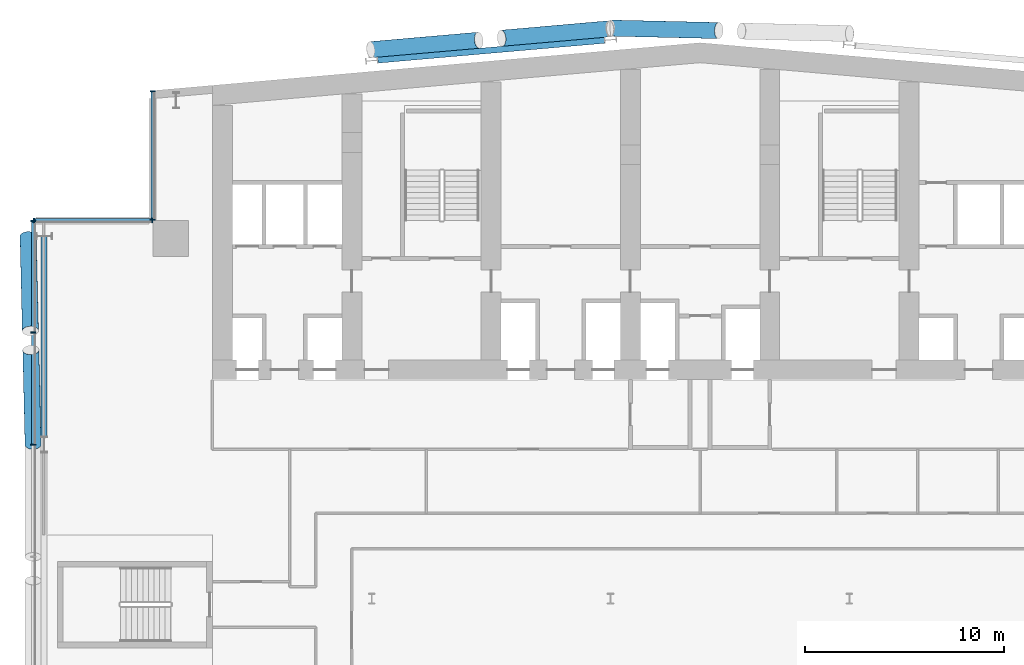
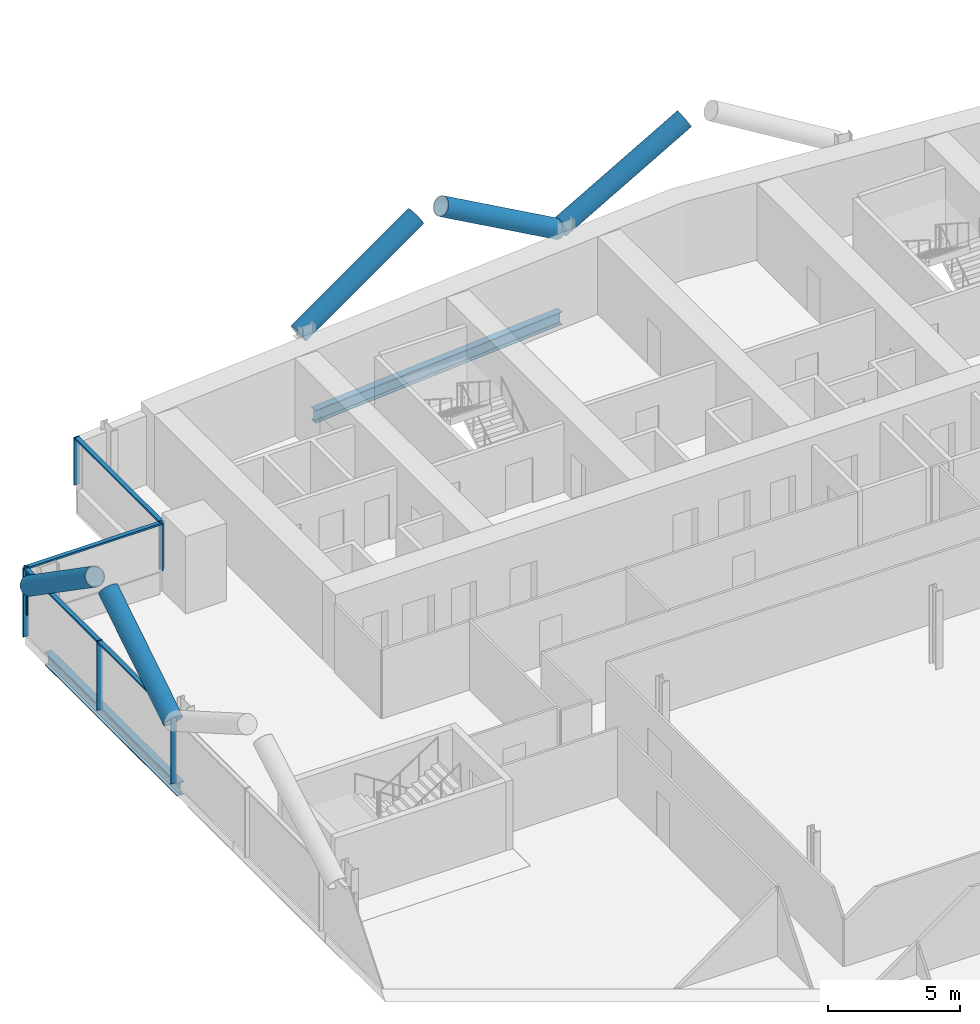
# One storey, part 8 of 30: 16 members, 2 beams, 3 elements without a shape of their own.
"""IFC4 building model written with IfcOpenShell, lengths in metres."""

from ifc_helpers import new_model, si_unit, direction, frame, origin, origin_2d, place, context, subcontext, project, spatial, rectangle, hollow_circle, i_section, extrude, material, material_profile, profile_set, type_object, element, aggregate, save


model = new_model("IFC4")

# Units and contexts
model_context = context("Model", 3, precision=1e-05, world=origin(), true_north=direction((0.0, 1.0)))
body_context = subcontext(model_context, "Body", "Model", "MODEL_VIEW")
ifc_project = project(units=[si_unit("LENGTHUNIT", "METRE"), si_unit("AREAUNIT", "SQUARE_METRE"), si_unit("VOLUMEUNIT", "CUBIC_METRE"), si_unit("PLANEANGLEUNIT", "RADIAN"), si_unit("MASSUNIT", "GRAM", prefix="KILO")], contexts=[model_context])

# Site, building, storey
site_placement = place(None, origin())
site = spatial("IfcSite", under=ifc_project, at=site_placement, CompositionType="ELEMENT")
building_placement = place(site_placement, origin())
building = spatial("IfcBuilding", under=site, at=building_placement, Name="Wharfspan Tower", CompositionType="ELEMENT")
storey_placement = place(building_placement, frame((0.0, 0.0, 100.300049)))
storey = spatial("IfcBuildingStorey", under=building, at=storey_placement, Name="L22", CompositionType="ELEMENT", Elevation=100.300049)

# Beams
ifc_material_1 = material(Name="Steel S355J2", Category="steel")
ifc_material_profile_1 = material_profile(ifc_material_1, i_section(OverallWidth=0.300049, OverallDepth=0.600098, WebThickness=0.015381, FlangeThickness=0.030029, FilletRadius=0.0271, at=origin_2d()))
ifc_profile_set_1 = profile_set([ifc_material_profile_1], Name="Steel S355J2")
beam_type = type_object("IfcBeamType", Name="Edge beam HEB 600", PredefinedType="SPANDREL", material=ifc_profile_set_1)
beam_1_placement = place(storey_placement, frame((35.695068, 51.050537, -0.699951), z_axis=(-0.996194, -0.087162, 0.0), x_axis=(0.087162, -0.996194, 0.0)))
element("IfcBeam", 1, at=beam_1_placement, inside=storey, type_object=beam_type, Name="Edge beam N1 L22 R.2 to R.1", PredefinedType="SPANDREL", context=body_context, shape_type="SweptSolid", body=[
    extrude(i_section(OverallWidth=0.300049, OverallDepth=0.600098, WebThickness=0.015381, FlangeThickness=0.030029, FilletRadius=0.0271, at=origin_2d()), origin(), (0.0, 0.0, 1.0), 11.433594),
])
beam_2_placement = place(storey_placement, frame((7.544434, 41.201416, -0.699951), z_axis=(-0.000412, -1.0, 0.0), x_axis=(1.0, -0.000412, 0.0)))
element("IfcBeam", 2, at=beam_2_placement, inside=storey, type_object=beam_type, Name="Edge beam W L22 PNRW-H.1 to PW.1", PredefinedType="SPANDREL", context=body_context, shape_type="SweptSolid", body=[
    extrude(i_section(OverallWidth=0.300049, OverallDepth=0.600098, WebThickness=0.015381, FlangeThickness=0.030029, FilletRadius=0.0271, at=origin_2d()), origin(), (0.0, 0.0, 1.0), 10.065186),
])

# Curtain wall, members
ifc_material_2 = material(Name="Aluminium 6063-T6", Category="aluminium")
curtain_wall_type = type_object("IfcCurtainWallType", Name="CURTAIN WALL PROW AND END", PredefinedType="NOTDEFINED", material=ifc_material_2)
curtain_wall_1_placement = place(storey_placement, origin())
curtain_wall_1 = element("IfcCurtainWall", 3, at=curtain_wall_1_placement, inside=storey, type_object=curtain_wall_type, Name="Curtain wall NRW-V", PredefinedType="NOTDEFINED")
ifc_material_profile_2 = material_profile(ifc_material_2, rectangle(XDim=0.23999, YDim=0.060059, at=origin_2d()))
ifc_profile_set_2 = profile_set([ifc_material_profile_2], Name="Aluminium 6063-T6")
member_type_1 = type_object("IfcMemberType", Name="MULLION PROW AND END 60x240", PredefinedType="MULLION", material=ifc_profile_set_2)
member_1_placement = place(storey_placement, frame((13.0, 48.494873, 1.0), z_axis=(0.0, 0.0, 1.0), x_axis=(1.0, 0.0, 0.0)))
member_1 = element("IfcMember", 4, at=member_1_placement, type_object=member_type_1, Name="Curtain wall NRW-V mullion 1", PredefinedType="MULLION", context=body_context, shape_type="SweptSolid", body=[
    extrude(rectangle(XDim=0.23999, YDim=0.060059, at=origin_2d()), origin(), (0.0, 0.0, 1.0), 2.199951),
])
member_2_placement = place(storey_placement, frame((13.0, 42.030029, 1.0), z_axis=(0.0, 0.0, 1.0), x_axis=(1.0, 0.0, 0.0)))
member_2 = element("IfcMember", 5, at=member_2_placement, type_object=member_type_1, Name="Curtain wall NRW-V mullion 2", PredefinedType="MULLION", context=body_context, shape_type="SweptSolid", body=[
    extrude(rectangle(XDim=0.23999, YDim=0.060059, at=origin_2d()), origin(), (0.0, 0.0, 1.0), 2.199951),
])

curtain_wall_2_placement = place(storey_placement, origin())
curtain_wall_2 = element("IfcCurtainWall", 6, at=curtain_wall_2_placement, inside=storey, type_object=curtain_wall_type, Name="Curtain wall NRW-H", PredefinedType="NOTDEFINED")
member_3_placement = place(storey_placement, frame((12.969971, 42.0, 1.0), z_axis=(0.0, 0.0, 1.0), x_axis=(0.0, -1.0, 0.0)))
member_3 = element("IfcMember", 7, at=member_3_placement, type_object=member_type_1, Name="Curtain wall NRW-H mullion 1", PredefinedType="MULLION", context=body_context, shape_type="SweptSolid", body=[
    extrude(rectangle(XDim=0.23999, YDim=0.060059, at=origin_2d()), origin(), (0.0, 0.0, 1.0), 2.199951),
])
member_4_placement = place(storey_placement, frame((7.030029, 42.0, 1.0), z_axis=(0.0, 0.0, 1.0), x_axis=(0.0, -1.0, 0.0)))
member_4 = element("IfcMember", 8, at=member_4_placement, type_object=member_type_1, Name="Curtain wall NRW-H mullion 2", PredefinedType="MULLION", context=body_context, shape_type="SweptSolid", body=[
    extrude(rectangle(XDim=0.23999, YDim=0.060059, at=origin_2d()), origin(), (0.0, 0.0, 1.0), 2.199951),
])

curtain_wall_3_placement = place(storey_placement, origin())
curtain_wall_3 = element("IfcCurtainWall", 9, at=curtain_wall_3_placement, inside=storey, type_object=curtain_wall_type, Name="Curtain wall W", PredefinedType="NOTDEFINED")
member_5_placement = place(storey_placement, frame((7.0, 41.969971, 0.0), z_axis=(0.0, 0.0, 1.0), x_axis=(1.0, 0.0, 0.0)))
member_5 = element("IfcMember", 10, at=member_5_placement, type_object=member_type_1, Name="Curtain wall W mullion 1", PredefinedType="MULLION", context=body_context, shape_type="SweptSolid", body=[
    extrude(rectangle(XDim=0.23999, YDim=0.060059, at=origin_2d()), origin(), (0.0, 0.0, 1.0), 3.199951),
])
member_6_placement = place(storey_placement, frame((7.0, 36.366699, 0.0), z_axis=(0.0, 0.0, 1.0), x_axis=(1.0, 0.0, 0.0)))
member_6 = element("IfcMember", 11, at=member_6_placement, type_object=member_type_1, Name="Curtain wall W mullion 2", PredefinedType="MULLION", context=body_context, shape_type="SweptSolid", body=[
    extrude(rectangle(XDim=0.23999, YDim=0.060059, at=origin_2d()), origin(), (0.0, 0.0, 1.0), 3.199951),
])
member_7_placement = place(storey_placement, frame((7.0, 30.733398, 0.0), z_axis=(0.0, 0.0, 1.0), x_axis=(1.0, 0.0, 0.0)))
member_7 = element("IfcMember", 12, at=member_7_placement, type_object=member_type_1, Name="Curtain wall W mullion 3", PredefinedType="MULLION", context=body_context, shape_type="SweptSolid", body=[
    extrude(rectangle(XDim=0.23999, YDim=0.060059, at=origin_2d()), origin(), (0.0, 0.0, 1.0), 3.199951),
])

# Members
ifc_material_3 = material(Name="Steel S460NH", Category="steel")
ifc_material_profile_3 = material_profile(ifc_material_3, hollow_circle(Radius=0.406494, WallThickness=0.040039, at=origin_2d()))
ifc_profile_set_3 = profile_set([ifc_material_profile_3], Name="Steel S460NH")
member_type_2 = type_object("IfcMemberType", Name="Mega brace CHS 813x40", PredefinedType="BRACE", material=ifc_profile_set_3)
for number, where, z_axis, x_axis, name in (
    (13, (6.734131, 41.208008, 2.899902), (0.019722, -0.823926, 0.566354), (0.999713, 0.023927, -4e-06), "Mega brace W4 L23 part 1"),
    (14, (6.985107, 30.733398, 2.899902), (-0.019765, 0.823912, 0.566373), (-0.999715, -0.023981, -2e-06), "Mega brace W4 L23 part 3"),
):
    element("IfcMember", number, at=place(storey_placement, frame(where, z_axis=z_axis, x_axis=x_axis)), inside=storey, type_object=member_type_2, Name=name, PredefinedType="BRACE", context=body_context, shape_type="SweptSolid", body=[
        extrude(hollow_circle(Radius=0.406494, WallThickness=0.040039, at=origin_2d()), origin(), (0.0, 0.0, 1.0), 5.768555),
    ])
member_8_placement = place(storey_placement, frame((36.012939, 51.665771, 2.899902), z_axis=(0.857317, -0.019649, 0.514413), x_axis=(0.022912, 0.999739, 2e-06)))
element("IfcMember", 15, at=member_8_placement, inside=storey, type_object=member_type_2, Name="Mega brace N7 L23 part 1", PredefinedType="BRACE", context=body_context, shape_type="SweptSolid", body=[
    extrude(hollow_circle(Radius=0.406494, WallThickness=0.040039, at=origin_2d()), origin(), (0.0, 0.0, 1.0), 6.324463),
])
member_9_placement = place(storey_placement, frame((23.95166, 50.581299, 2.899902), z_axis=(0.855079, 0.074777, 0.513078), x_axis=(-0.087118, 0.996199, 0.0)))
element("IfcMember", 16, at=member_9_placement, inside=storey, type_object=member_type_2, Name="Mega brace N8 L23 part 1", PredefinedType="BRACE", context=body_context, shape_type="SweptSolid", body=[
    extrude(hollow_circle(Radius=0.406494, WallThickness=0.040039, at=origin_2d()), origin(), (0.0, 0.0, 1.0), 6.340576),
])
member_10_placement = place(storey_placement, frame((35.95166, 51.631104, 2.899902), z_axis=(-0.855087, -0.074812, 0.51306), x_axis=(0.087157, -0.996195, -1e-06)))
element("IfcMember", 17, at=member_10_placement, inside=storey, type_object=member_type_2, Name="Mega brace N8 L23 part 3", PredefinedType="BRACE", context=body_context, shape_type="SweptSolid", body=[
    extrude(hollow_circle(Radius=0.406494, WallThickness=0.040039, at=origin_2d()), origin(), (0.0, 0.0, 1.0), 6.34082),
])

# Member
ifc_material_profile_4 = material_profile(ifc_material_2, rectangle(XDim=0.179932, YDim=0.080078, at=origin_2d()))
ifc_profile_set_4 = profile_set([ifc_material_profile_4], Name="Aluminium 6063-T6")
member_type_3 = type_object("IfcMemberType", Name="TRANSOM PROW AND END 80x180", PredefinedType="USERDEFINED", material=ifc_profile_set_4)
member_11_placement = place(storey_placement, frame((13.0, 48.464844, 3.159912), z_axis=(0.0, -1.0, 0.0), x_axis=(1.0, 0.0, 0.0)))
member_11 = element("IfcMember", 18, at=member_11_placement, type_object=member_type_3, Name="Curtain wall NRW-V transom 1", ObjectType="TRANSOM", PredefinedType="USERDEFINED", context=body_context, shape_type="SweptSolid", body=[
    extrude(rectangle(XDim=0.179932, YDim=0.080078, at=origin_2d()), origin(), (0.0, 0.0, 1.0), 6.404785),
])

aggregate(curtain_wall_1, [member_1, member_2, member_11])

member_12_placement = place(storey_placement, frame((12.939941, 42.0, 3.159912), z_axis=(-1.0, 0.0, 0.0), x_axis=(0.0, -1.0, 0.0)))
member_12 = element("IfcMember", 19, at=member_12_placement, type_object=member_type_3, Name="Curtain wall NRW-H transom 1", ObjectType="TRANSOM", PredefinedType="USERDEFINED", context=body_context, shape_type="SweptSolid", body=[
    extrude(rectangle(XDim=0.179932, YDim=0.080078, at=origin_2d()), origin(), (0.0, 0.0, 1.0), 5.879883),
])

aggregate(curtain_wall_2, [member_3, member_4, member_12])

member_13_placement = place(storey_placement, frame((7.0, 41.939941, 3.159912), z_axis=(0.0, -1.0, 0.0), x_axis=(1.0, 0.0, 0.0)))
member_13 = element("IfcMember", 20, at=member_13_placement, type_object=member_type_3, Name="Curtain wall W transom 1", ObjectType="TRANSOM", PredefinedType="USERDEFINED", context=body_context, shape_type="SweptSolid", body=[
    extrude(rectangle(XDim=0.179932, YDim=0.080078, at=origin_2d()), origin(), (0.0, 0.0, 1.0), 5.543213),
])

member_14_placement = place(storey_placement, frame((7.0, 36.33667, 3.159912), z_axis=(0.0, -1.0, 0.0), x_axis=(1.0, 0.0, 0.0)))
member_14 = element("IfcMember", 21, at=member_14_placement, type_object=member_type_3, Name="Curtain wall W transom 2", ObjectType="TRANSOM", PredefinedType="USERDEFINED", context=body_context, shape_type="SweptSolid", body=[
    extrude(rectangle(XDim=0.179932, YDim=0.080078, at=origin_2d()), origin(), (0.0, 0.0, 1.0), 5.573242),
])

aggregate(curtain_wall_3, [member_5, member_6, member_7, member_13, member_14])

save(model, "model.ifc")
